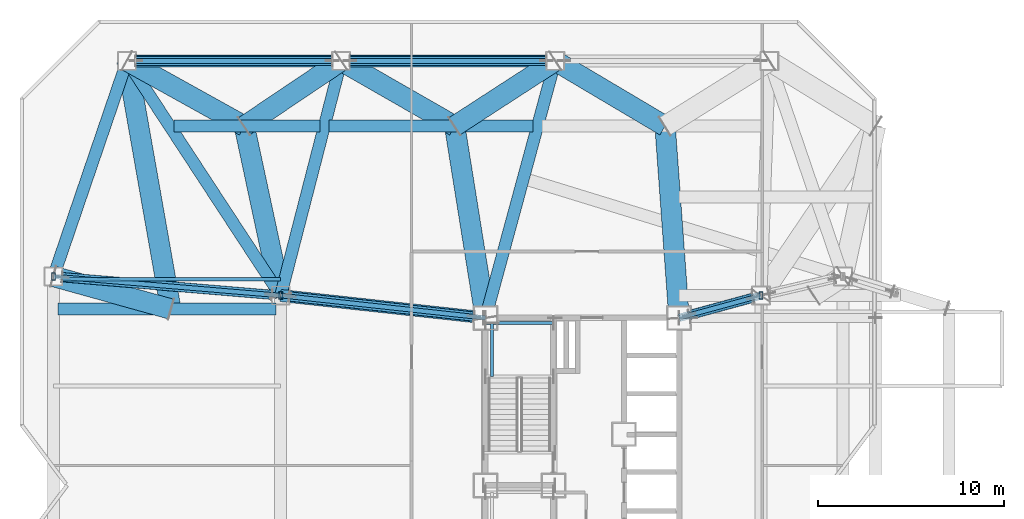
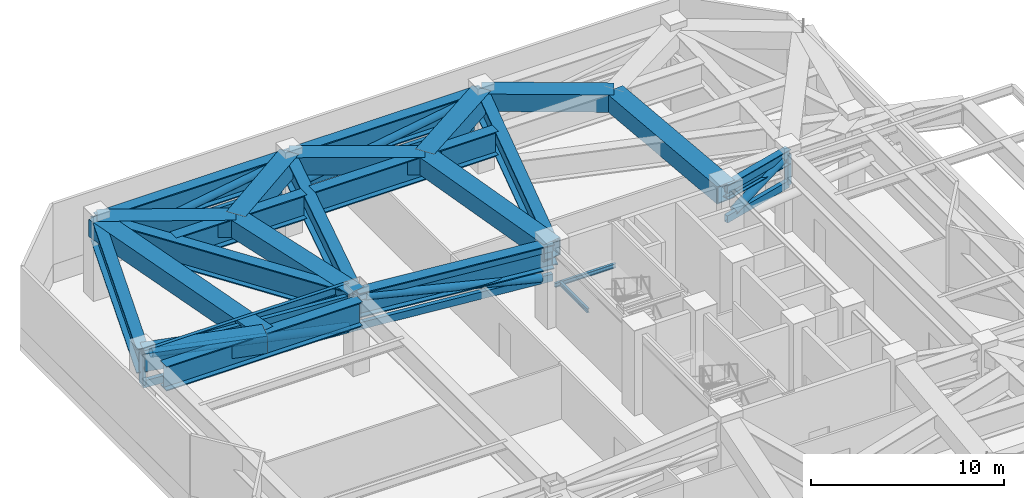
# One storey, part 4 of 18: 24 beams, 16 members.
"""IFC4 building model written with IfcOpenShell, lengths in metres."""

from ifc_helpers import new_model, si_unit, direction, frame, origin, origin_2d, place, context, subcontext, project, spatial, hollow_rectangle, hollow_circle, i_section, extrude, material, material_profile, profile_set, type_object, element, save


model = new_model("IFC4")

# Units and contexts
model_context = context("Model", 3, precision=1e-05, world=origin(), true_north=direction((0.0, 1.0)))
body_context = subcontext(model_context, "Body", "Model", "MODEL_VIEW")
ifc_project = project(units=[si_unit("LENGTHUNIT", "METRE"), si_unit("AREAUNIT", "SQUARE_METRE"), si_unit("VOLUMEUNIT", "CUBIC_METRE"), si_unit("PLANEANGLEUNIT", "RADIAN"), si_unit("MASSUNIT", "GRAM", prefix="KILO")], contexts=[model_context])

# Site, building, storey
site_placement = place(None, origin())
site = spatial("IfcSite", under=ifc_project, at=site_placement, CompositionType="ELEMENT")
building_placement = place(site_placement, origin())
building = spatial("IfcBuilding", under=site, at=building_placement, Name="Khamvora Tower", CompositionType="ELEMENT")
storey_placement = place(building_placement, frame((0.0, 0.0, 84.39990234375)))
storey = spatial("IfcBuildingStorey", under=building, at=storey_placement, Name="L21", CompositionType="ELEMENT", Elevation=84.39990234375)

# Beams
ifc_material_1 = material(Name="Steel S355", Category="steel")
ifc_material_profile_1 = material_profile(ifc_material_1, i_section(OverallWidth=0.14697265625, OverallDepth=0.261962890625, WebThickness=0.007080078125, FlangeThickness=0.010986328125, FilletRadius=0.008056640625, at=origin_2d()), Name="W250x39")
ifc_profile_set_1 = profile_set([ifc_material_profile_1], Name="Steel S355")
beam_type_1 = type_object("IfcBeamType", Name="BM-LN-W250x39", PredefinedType="LINTEL", material=ifc_profile_set_1)
beam_1_placement = place(storey_placement, frame((29.0, 36.72998046875, 2.369140625), z_axis=(1.0, 0.0, 0.0), x_axis=(0.0, 1.0, 0.0)))
element("IfcBeam", 1, at=beam_1_placement, inside=storey, type_object=beam_type_1, Name="L21 ST-02 half-landing support beam 1.2", PredefinedType="LINTEL", context=body_context, shape_type="SweptSolid", body=[
    extrude(i_section(OverallWidth=0.14697265625, OverallDepth=0.261962890625, WebThickness=0.007080078125, FlangeThickness=0.010986328125, FilletRadius=0.008056640625, at=origin_2d()), origin(), (0.0, 0.0, 1.0), 3.64990234375),
])
beam_2_placement = place(storey_placement, frame((29.35009765625, 33.85498046875, 2.369140625), z_axis=(0.0, 1.0, 0.0), x_axis=(-1.0, 0.0, 0.0)))
element("IfcBeam", 2, at=beam_2_placement, inside=storey, type_object=beam_type_1, Name="L21 ST-02 half-landing edge stringer 1", PredefinedType="LINTEL", context=body_context, shape_type="SweptSolid", body=[
    extrude(i_section(OverallWidth=0.14697265625, OverallDepth=0.261962890625, WebThickness=0.007080078125, FlangeThickness=0.010986328125, FilletRadius=0.008056640625, at=origin_2d()), origin(), (0.0, 0.0, 1.0), 2.875),
])
ifc_material_profile_2 = material_profile(ifc_material_1, i_section(OverallWidth=0.208984375, OverallDepth=0.532958984375, WebThickness=0.010009765625, FlangeThickness=0.01611328125, FilletRadius=0.013916015625, at=origin_2d()), Name="W530x92")
ifc_profile_set_2 = profile_set([ifc_material_profile_2], Name="Steel S355")
beam_type_2 = type_object("IfcBeamType", Name="BM-SP-W530x92", PredefinedType="SPANDREL", material=ifc_profile_set_2)
beam_3_placement = place(storey_placement, frame((18.0, 39.074951171875, 4.714111328125), z_axis=(-1.0, 0.0, 0.0), x_axis=(0.0, -1.0, 0.0)))
element("IfcBeam", 3, at=beam_3_placement, inside=storey, type_object=beam_type_2, Name="L21 continuous gallery cantilever girder L22-WL2-2", PredefinedType="SPANDREL", context=body_context, shape_type="SweptSolid", body=[
    extrude(i_section(OverallWidth=0.208984375, OverallDepth=0.532958984375, WebThickness=0.010009765625, FlangeThickness=0.01611328125, FilletRadius=0.013916015625, at=origin_2d()), origin(), (0.0, 0.0, 1.0), 12.199951171875),
])
ifc_material_2 = material(Name="Steel S460", Category="steel")
ifc_material_profile_3 = material_profile(ifc_material_2, hollow_rectangle(XDim=1.10009765625, YDim=1.10009765625, WallThickness=0.054931640625, at=origin_2d()), Name="BOX1100x1100x55")
ifc_profile_set_3 = profile_set([ifc_material_profile_3], Name="Steel S460")
beam_type_3 = type_object("IfcBeamType", Name="BM-TG-BOX1100", PredefinedType="BEAM", material=ifc_profile_set_3)
beam_4_placement = place(storey_placement, frame((21.25, 50.800048828125, 4.43017578125), z_axis=(-0.829585318844, -0.558379977039, 0.0), x_axis=(0.558379977039, -0.829585318844, 0.0)))
element("IfcBeam", 4, at=beam_4_placement, inside=storey, type_object=beam_type_3, Name="L21 Zone Transfer Truss frame transfer link N1.1", PredefinedType="BEAM", context=body_context, shape_type="SweptSolid", body=[
    extrude(hollow_rectangle(XDim=1.10009765625, YDim=1.10009765625, WallThickness=0.054931640625, at=origin_2d()), origin(), (0.0, 0.0, 1.0), 6.26806640625),
])
beam_5_placement = place(storey_placement, frame((9.75, 50.800048828125, 4.43017578125), z_axis=(0.874158874021, -0.485640054949, 0.0), x_axis=(0.485640054949, 0.874158874021, 0.0)))
element("IfcBeam", 5, at=beam_5_placement, inside=storey, type_object=beam_type_3, Name="L21 Zone Transfer Truss frame transfer link N1.2", PredefinedType="BEAM", context=body_context, shape_type="SweptSolid", body=[
    extrude(hollow_rectangle(XDim=1.10009765625, YDim=1.10009765625, WallThickness=0.054931640625, at=origin_2d()), origin(), (0.0, 0.0, 1.0), 7.20703125),
])
beam_6_placement = place(storey_placement, frame((18.0, 38.199951171875, 4.43017578125), z_axis=(-0.209521922673, 0.977803949634, 0.0), x_axis=(-0.977803949634, -0.209521922673, 0.0)))
element("IfcBeam", 6, at=beam_6_placement, inside=storey, type_object=beam_type_3, Name="L21 Zone Transfer Truss frame transfer link N1.3", PredefinedType="BEAM", context=body_context, shape_type="SweptSolid", body=[
    extrude(hollow_rectangle(XDim=1.10009765625, YDim=1.10009765625, WallThickness=0.054931640625, at=origin_2d()), origin(), (0.0, 0.0, 1.0), 9.306640625),
])
beam_7_placement = place(storey_placement, frame((32.75, 50.800048828125, 4.43017578125), z_axis=(-0.839148497174, -0.543902380662, 0.0), x_axis=(0.543902380662, -0.839148497174, 0.0)))
element("IfcBeam", 7, at=beam_7_placement, inside=storey, type_object=beam_type_3, Name="L21 Zone Transfer Truss frame transfer link N2.1", PredefinedType="BEAM", context=body_context, shape_type="SweptSolid", body=[
    extrude(hollow_rectangle(XDim=1.10009765625, YDim=1.10009765625, WallThickness=0.054931640625, at=origin_2d()), origin(), (0.0, 0.0, 1.0), 6.43505859375),
])
beam_8_placement = place(storey_placement, frame((21.25, 50.800048828125, 4.43017578125), z_axis=(0.867370207678, -0.49766346343, 0.0), x_axis=(0.49766346343, 0.867370207678, 0.0)))
element("IfcBeam", 8, at=beam_8_placement, inside=storey, type_object=beam_type_3, Name="L21 Zone Transfer Truss frame transfer link N2.2", PredefinedType="BEAM", context=body_context, shape_type="SweptSolid", body=[
    extrude(hollow_rectangle(XDim=1.10009765625, YDim=1.10009765625, WallThickness=0.054931640625, at=origin_2d()), origin(), (0.0, 0.0, 1.0), 7.032958984375),
])
beam_9_placement = place(storey_placement, frame((29.0, 37.0, 4.43017578125), z_axis=(-0.158167584066, 0.987412282358, 0.0), x_axis=(-0.987412282358, -0.158167584066, 0.0)))
element("IfcBeam", 9, at=beam_9_placement, inside=storey, type_object=beam_type_3, Name="L21 Zone Transfer Truss frame transfer link N2.3", PredefinedType="BEAM", context=body_context, shape_type="SweptSolid", body=[
    extrude(hollow_rectangle(XDim=1.10009765625, YDim=1.10009765625, WallThickness=0.054931640625, at=origin_2d()), origin(), (0.0, 0.0, 1.0), 10.431396484375),
])
beam_10_placement = place(storey_placement, frame((32.75, 50.800048828125, 4.43017578125), z_axis=(0.860050948208, -0.510208159957, 0.0), x_axis=(0.510208159957, 0.860050948208, 0.0)))
element("IfcBeam", 10, at=beam_10_placement, inside=storey, type_object=beam_type_3, Name="L21 Zone Transfer Truss frame transfer link N3.2", PredefinedType="BEAM", context=body_context, shape_type="SweptSolid", body=[
    extrude(hollow_rectangle(XDim=1.10009765625, YDim=1.10009765625, WallThickness=0.054931640625, at=origin_2d()), origin(), (0.0, 0.0, 1.0), 6.85986328125),
])
beam_11_placement = place(storey_placement, frame((39.39990234375, 37.0, 4.43017578125), z_axis=(-0.07262291808, 0.997359469685, 0.0), x_axis=(-0.997359469685, -0.07262291808, 0.0)))
element("IfcBeam", 11, at=beam_11_placement, inside=storey, type_object=beam_type_3, Name="L21 Zone Transfer Truss frame transfer link N3.3", PredefinedType="BEAM", context=body_context, shape_type="SweptSolid", body=[
    extrude(hollow_rectangle(XDim=1.10009765625, YDim=1.10009765625, WallThickness=0.054931640625, at=origin_2d()), origin(), (0.0, 0.0, 1.0), 10.327392578125),
])
beam_12_placement = place(storey_placement, frame((5.800048828125, 39.22509765625, 4.43017578125), z_axis=(0.963518444563, -0.267641938021, 0.0), x_axis=(0.267641938021, 0.963518444563, 0.0)))
element("IfcBeam", 12, at=beam_12_placement, inside=storey, type_object=beam_type_3, Name="L21 Zone Transfer Truss frame transfer link W2.2", PredefinedType="BEAM", context=body_context, shape_type="SweptSolid", body=[
    extrude(hollow_rectangle(XDim=1.10009765625, YDim=1.10009765625, WallThickness=0.054931640625, at=origin_2d()), origin(), (0.0, 0.0, 1.0), 6.53857421875),
])
beam_13_placement = place(storey_placement, frame((9.75, 50.800048828125, 4.43017578125), z_axis=(0.173687546511, -0.984800810411, 0.0), x_axis=(0.984800810411, 0.173687546511, 0.0)))
element("IfcBeam", 13, at=beam_13_placement, inside=storey, type_object=beam_type_3, Name="L21 Zone Transfer Truss frame transfer link W2.3", PredefinedType="BEAM", context=body_context, shape_type="SweptSolid", body=[
    extrude(hollow_rectangle(XDim=1.10009765625, YDim=1.10009765625, WallThickness=0.054931640625, at=origin_2d()), origin(), (0.0, 0.0, 1.0), 13.530517578125),
])
ifc_material_profile_4 = material_profile(ifc_material_2, i_section(OverallWidth=0.64990234375, OverallDepth=1.550048828125, WebThickness=0.0400390625, FlangeThickness=0.06494140625, at=origin_2d()), Name="PG1550x650x40x65")
ifc_profile_set_4 = profile_set([ifc_material_profile_4], Name="Steel S460")
beam_type_4 = type_object("IfcBeamType", Name="BM-TG-PG1800", PredefinedType="BEAM", material=ifc_profile_set_4)
for number, where, z_axis, x_axis, name in (
    (14, (32.75, 50.800048828125, 4.205078125), (-1.0, 0.0, 0.0), (0.0, -1.0, 0.0), "L21 perimeter spandrel beam N3-N2"),
    (15, (21.25, 50.800048828125, 4.205078125), (-1.0, 0.0, 0.0), (0.0, -1.0, 0.0), "L21 perimeter spandrel beam N2-N1"),
):
    element("IfcBeam", number, at=place(storey_placement, frame(where, z_axis=z_axis, x_axis=x_axis)), inside=storey, type_object=beam_type_4, Name=name, PredefinedType="BEAM", context=body_context, shape_type="SweptSolid", body=[
        extrude(i_section(OverallWidth=0.64990234375, OverallDepth=1.550048828125, WebThickness=0.0400390625, FlangeThickness=0.06494140625, at=origin_2d()), origin(), (0.0, 0.0, 1.0), 11.5),
    ])
beam_14_placement = place(storey_placement, frame((9.75, 50.800048828125, 4.205078125), z_axis=(-0.322962893199, -0.946411628002, 0.0), x_axis=(0.946411628002, -0.322962893199, 0.0)))
element("IfcBeam", 16, at=beam_14_placement, inside=storey, type_object=beam_type_4, Name="L21 perimeter spandrel beam N1-W2", PredefinedType="BEAM", context=body_context, shape_type="SweptSolid", body=[
    extrude(i_section(OverallWidth=0.64990234375, OverallDepth=1.550048828125, WebThickness=0.0400390625, FlangeThickness=0.06494140625, at=origin_2d()), origin(), (0.0, 0.0, 1.0), 12.23046875),
])
beam_15_placement = place(storey_placement, frame((18.0, 38.199951171875, 4.205078125), z_axis=(-0.547782969742, 0.836620474325, 0.0), x_axis=(-0.836620474325, -0.547782969742, 0.0)))
element("IfcBeam", 17, at=beam_15_placement, inside=storey, type_object=beam_type_4, Name="L21 primary floor girder N1", PredefinedType="BEAM", context=body_context, shape_type="SweptSolid", body=[
    extrude(i_section(OverallWidth=0.64990234375, OverallDepth=1.550048828125, WebThickness=0.0400390625, FlangeThickness=0.06494140625, at=origin_2d()), origin(), (0.0, 0.0, 1.0), 15.060791015625),
])
beam_16_placement = place(storey_placement, frame((18.0, 38.199951171875, 4.205078125), z_axis=(0.249759990341, 0.968307775051, 0.0), x_axis=(-0.968307775051, 0.249759990341, 0.0)))
element("IfcBeam", 18, at=beam_16_placement, inside=storey, type_object=beam_type_4, Name="L21 primary floor girder N2", PredefinedType="BEAM", context=body_context, shape_type="SweptSolid", body=[
    extrude(i_section(OverallWidth=0.64990234375, OverallDepth=1.550048828125, WebThickness=0.0400390625, FlangeThickness=0.06494140625, at=origin_2d()), origin(), (0.0, 0.0, 1.0), 13.012451171875),
])
beam_17_placement = place(storey_placement, frame((29.0, 37.0, 4.205078125), z_axis=(0.262228883577, 0.965005706003, 0.0), x_axis=(-0.965005706003, 0.262228883577, 0.0)))
element("IfcBeam", 19, at=beam_17_placement, inside=storey, type_object=beam_type_4, Name="L21 primary floor girder N3", PredefinedType="BEAM", context=body_context, shape_type="SweptSolid", body=[
    extrude(i_section(OverallWidth=0.64990234375, OverallDepth=1.550048828125, WebThickness=0.0400390625, FlangeThickness=0.06494140625, at=origin_2d()), origin(), (0.0, 0.0, 1.0), 14.300537109375),
])
beam_18_placement = place(storey_placement, frame((29.0, 37.0, 4.205078125), z_axis=(-0.994102652327, 0.108443149329, 0.0), x_axis=(-0.108443149329, -0.994102652327, 0.0)))
element("IfcBeam", 20, at=beam_18_placement, inside=storey, type_object=beam_type_4, Name="L21 primary floor girder MW2", PredefinedType="BEAM", context=body_context, shape_type="SweptSolid", body=[
    extrude(i_section(OverallWidth=0.64990234375, OverallDepth=1.550048828125, WebThickness=0.0400390625, FlangeThickness=0.06494140625, at=origin_2d()), origin(), (0.0, 0.0, 1.0), 11.065185546875),
])
beam_19_placement = place(storey_placement, frame((12.281982421875, 47.300048828125, 4.205078125), z_axis=(1.0, 0.0, 0.0), x_axis=(0.0, 1.0, 0.0)))
element("IfcBeam", 21, at=beam_19_placement, inside=storey, type_object=beam_type_4, Name="L21 Zone Transfer Truss Box Girder N1", PredefinedType="BEAM", context=body_context, shape_type="SweptSolid", body=[
    extrude(i_section(OverallWidth=0.64990234375, OverallDepth=1.550048828125, WebThickness=0.0400390625, FlangeThickness=0.06494140625, at=origin_2d()), origin(), (0.0, 0.0, 1.0), 7.824951171875),
])
beam_20_placement = place(storey_placement, frame((20.5869140625, 47.300048828125, 4.205078125), z_axis=(1.0, 0.0, 0.0), x_axis=(0.0, 1.0, 0.0)))
element("IfcBeam", 22, at=beam_20_placement, inside=storey, type_object=beam_type_4, Name="L21 Zone Transfer Truss Box Girder N2", PredefinedType="BEAM", context=body_context, shape_type="SweptSolid", body=[
    extrude(i_section(OverallWidth=0.64990234375, OverallDepth=1.550048828125, WebThickness=0.0400390625, FlangeThickness=0.06494140625, at=origin_2d()), origin(), (0.0, 0.0, 1.0), 10.97216796875),
])
beam_21_placement = place(storey_placement, frame((6.0400390625, 37.47509765625, 4.205078125), z_axis=(1.0, 0.0, 0.0), x_axis=(0.0, 1.0, 0.0)))
element("IfcBeam", 23, at=beam_21_placement, inside=storey, type_object=beam_type_4, Name="L21 Zone Transfer Truss Box Girder W2", PredefinedType="BEAM", context=body_context, shape_type="SweptSolid", body=[
    extrude(i_section(OverallWidth=0.64990234375, OverallDepth=1.550048828125, WebThickness=0.0400390625, FlangeThickness=0.06494140625, at=origin_2d()), origin(), (0.0, 0.0, 1.0), 11.719970703125),
])
ifc_material_profile_5 = material_profile(ifc_material_2, i_section(OverallWidth=0.423095703125, OverallDepth=0.93310546875, WebThickness=0.02392578125, FlangeThickness=0.04296875, FilletRadius=0.02001953125, at=origin_2d()), Name="W920x446")
ifc_profile_set_5 = profile_set([ifc_material_profile_5], Name="Steel S460")
beam_type_5 = type_object("IfcBeamType", Name="BM-TL-900", PredefinedType="BEAM", material=ifc_profile_set_5)
beam_22_placement = place(storey_placement, frame((39.39990234375, 37.0, 4.51318359375), z_axis=(0.964768762286, 0.263099287945, 0.0), x_axis=(-0.263099287945, 0.964768762286, 0.0)))
element("IfcBeam", 24, at=beam_22_placement, inside=storey, type_object=beam_type_5, Name="L21 primary floor girder M2", PredefinedType="BEAM", context=body_context, shape_type="SweptSolid", body=[
    extrude(i_section(OverallWidth=0.423095703125, OverallDepth=0.93310546875, WebThickness=0.02392578125, FlangeThickness=0.04296875, FilletRadius=0.02001953125, at=origin_2d()), origin(), (0.0, 0.0, 1.0), 4.560791015625),
])

# Members
ifc_material_profile_6 = material_profile(ifc_material_2, hollow_circle(Radius=0.25390625, WallThickness=0.02490234375, at=origin_2d()), Name="CHS508x25")
ifc_profile_set_6 = profile_set([ifc_material_profile_6], Name="Steel S460")
member_type_1 = type_object("IfcMemberType", Name="MEM-BR-CHS508", PredefinedType="BRACE", material=ifc_profile_set_6)
for number, where, z_axis, x_axis, name in (
    (25, (10.22412109375, 50.800048828125, 2.837158203125), (0.987035554797, 0.0, 0.160501755648), (0.0, 1.0, 0.0), "L21 Perimeter Belt Truss Diagonal 2.1"),
    (26, (21.72412109375, 50.800048828125, 2.837158203125), (0.987035554797, 0.0, 0.160501755648), (0.0, 1.0, 0.0), "L21 Perimeter Belt Truss Diagonal 2.2"),
):
    element("IfcMember", number, at=place(storey_placement, frame(where, z_axis=z_axis, x_axis=x_axis)), inside=storey, type_object=member_type_1, Name=name, PredefinedType="BRACE", context=body_context, shape_type="SweptSolid", body=[
        extrude(hollow_circle(Radius=0.25390625, WallThickness=0.02490234375, at=origin_2d()), origin(), (0.0, 0.0, 1.0), 10.6904296875),
    ])
ifc_material_profile_7 = material_profile(ifc_material_2, hollow_circle(Radius=0.25390625, WallThickness=0.02490234375, at=origin_2d()), Name="CHS508x25")
ifc_profile_set_7 = profile_set([ifc_material_profile_7], Name="Steel S460")
member_type_2 = type_object("IfcMemberType", Name="MEM-BR-CHS508I", PredefinedType="BRACE", material=ifc_profile_set_7)
member_1_placement = place(storey_placement, frame((28.382080078125, 37.06689453125, 2.864990234375), z_axis=(-0.980195993688, 0.107000705518, 0.166633318927), x_axis=(-0.108517901526, -0.99409449503, 0.0)))
element("IfcMember", 27, at=member_1_placement, inside=storey, type_object=member_type_2, Name="L21 Outrigger Truss Web Diagonal 3", PredefinedType="BRACE", context=body_context, shape_type="SweptSolid", body=[
    extrude(hollow_circle(Radius=0.25390625, WallThickness=0.02490234375, at=origin_2d()), origin(), (0.0, 0.0, 1.0), 10.1123046875),
])
member_2_placement = place(storey_placement, frame((17.527099609375, 38.239990234375, 2.83203125), z_axis=(-0.985054429051, 0.082720040238, 0.151080001158), x_axis=(-0.083680564324, -0.996492630758, 0.0)))
element("IfcMember", 28, at=member_2_placement, inside=storey, type_object=member_type_2, Name="L21 Outrigger Truss Web Diagonal 4", PredefinedType="BRACE", context=body_context, shape_type="SweptSolid", body=[
    extrude(hollow_circle(Radius=0.25390625, WallThickness=0.02490234375, at=origin_2d()), origin(), (0.0, 0.0, 1.0), 11.4248046875),
])
member_3_placement = place(storey_placement, frame((39.9619140625, 37.153076171875, 2.9990234375), z_axis=(0.892678457271, 0.243428711608, 0.379298871986), x_axis=(-0.263088183687, 0.964771790427, 0.0)))
element("IfcMember", 29, at=member_3_placement, inside=storey, type_object=member_type_2, Name="L21 Outrigger Truss Web Diagonal 7", PredefinedType="BRACE", context=body_context, shape_type="SweptSolid", body=[
    extrude(hollow_circle(Radius=0.25390625, WallThickness=0.02490234375, at=origin_2d()), origin(), (0.0, 0.0, 1.0), 3.820068359375),
])
ifc_material_profile_8 = material_profile(ifc_material_2, hollow_rectangle(XDim=0.25, YDim=0.449951171875, WallThickness=0.01611328125, at=origin_2d()), Name="RHS450x250x16")
ifc_profile_set_8 = profile_set([ifc_material_profile_8], Name="Steel S460")
member_type_3 = type_object("IfcMemberType", Name="MEM-CH-RHS450", PredefinedType="CHORD", material=ifc_profile_set_8)
for number, where, z_axis, x_axis, name in (
    (30, (29.0, 37.0, 4.630126953125), (-0.994102652327, 0.108443149329, 0.0), (-0.108443149329, -0.994102652327, 0.0), "L21 Outrigger Truss Top Chord 3"),
    (31, (29.0, 37.0, 2.760009765625), (-0.994102652327, 0.108443149329, 0.0), (-0.108443149329, -0.994102652327, 0.0), "L21 Outrigger Truss Bottom Chord 3"),
):
    element("IfcMember", number, at=place(storey_placement, frame(where, z_axis=z_axis, x_axis=x_axis)), inside=storey, type_object=member_type_3, Name=name, PredefinedType="CHORD", context=body_context, shape_type="SweptSolid", body=[
        extrude(hollow_rectangle(XDim=0.25, YDim=0.449951171875, WallThickness=0.01611328125, at=origin_2d()), origin(), (0.0, 0.0, 1.0), 11.065185546875),
    ])
for number, where, z_axis, x_axis, name in (
    (32, (18.0, 38.199951171875, 4.630126953125), (-0.996488172114, 0.083733642207, 0.0), (-0.083733642207, -0.996488172114, 0.0), "L21 Outrigger Truss Top Chord 4"),
    (33, (18.0, 38.199951171875, 2.760009765625), (-0.996488172114, 0.083733642207, 0.0), (-0.083733642207, -0.996488172114, 0.0), "L21 Outrigger Truss Bottom Chord 4"),
):
    element("IfcMember", number, at=place(storey_placement, frame(where, z_axis=z_axis, x_axis=x_axis)), inside=storey, type_object=member_type_3, Name=name, PredefinedType="CHORD", context=body_context, shape_type="SweptSolid", body=[
        extrude(hollow_rectangle(XDim=0.25, YDim=0.449951171875, WallThickness=0.01611328125, at=origin_2d()), origin(), (0.0, 0.0, 1.0), 12.242919921875),
    ])
for number, where, z_axis, x_axis, name in (
    (34, (39.39990234375, 37.0, 4.630126953125), (0.964768762286, 0.263099287945, 0.0), (-0.263099287945, 0.964768762286, 0.0), "L21 Outrigger Truss Top Chord 7"),
    (35, (39.39990234375, 37.0, 2.760009765625), (0.964768762286, 0.263099287945, 0.0), (-0.263099287945, 0.964768762286, 0.0), "L21 Outrigger Truss Bottom Chord 7"),
):
    element("IfcMember", number, at=place(storey_placement, frame(where, z_axis=z_axis, x_axis=x_axis)), inside=storey, type_object=member_type_3, Name=name, PredefinedType="CHORD", context=body_context, shape_type="SweptSolid", body=[
        extrude(hollow_rectangle(XDim=0.25, YDim=0.449951171875, WallThickness=0.01611328125, at=origin_2d()), origin(), (0.0, 0.0, 1.0), 4.560791015625),
    ])
for number, where, z_axis, x_axis, name in (
    (36, (10.22998046875, 50.800048828125, 2.760009765625), (1.0, 0.0, 0.0), (0.0, 1.0, 0.0), "L21 Perimeter Belt Truss Bottom Chord 2.1"),
    (37, (21.72998046875, 50.800048828125, 2.760009765625), (1.0, 0.0, 0.0), (0.0, 1.0, 0.0), "L21 Perimeter Belt Truss Bottom Chord 2.2"),
):
    element("IfcMember", number, at=place(storey_placement, frame(where, z_axis=z_axis, x_axis=x_axis)), inside=storey, type_object=member_type_3, Name=name, PredefinedType="CHORD", context=body_context, shape_type="SweptSolid", body=[
        extrude(hollow_rectangle(XDim=0.25, YDim=0.449951171875, WallThickness=0.01611328125, at=origin_2d()), origin(), (0.0, 0.0, 1.0), 10.5400390625),
    ])
ifc_material_profile_9 = material_profile(ifc_material_1, hollow_rectangle(XDim=0.199951171875, YDim=0.39990234375, WallThickness=0.01611328125, at=origin_2d()), Name="RHS400x200x16")
ifc_profile_set_9 = profile_set([ifc_material_profile_9], Name="Steel S355")
member_type_4 = type_object("IfcMemberType", Name="MEM-PS-RHS400", PredefinedType="POST", material=ifc_profile_set_9)
for number, where, z_axis, x_axis, name in (
    (38, (18.0, 38.199951171875, 2.760009765625), (0.0, 0.0, 1.0), (1.0, 0.0, 0.0), "L21 Outrigger Truss Post 3"),
    (39, (5.800048828125, 39.22509765625, 2.760009765625), (0.0, 0.0, 1.0), (1.0, 0.0, 0.0), "L21 Outrigger Truss Post 4"),
    (40, (43.800048828125, 38.199951171875, 2.760009765625), (0.0, 0.0, 1.0), (1.0, 0.0, 0.0), "L21 Outrigger Truss Post 7"),
):
    element("IfcMember", number, at=place(storey_placement, frame(where, z_axis=z_axis, x_axis=x_axis)), inside=storey, type_object=member_type_4, Name=name, PredefinedType="POST", context=body_context, shape_type="SweptSolid", body=[
        extrude(hollow_rectangle(XDim=0.199951171875, YDim=0.39990234375, WallThickness=0.01611328125, at=origin_2d()), origin(), (0.0, 0.0, 1.0), 1.8701171875),
    ])

save(model, "model.ifc")
